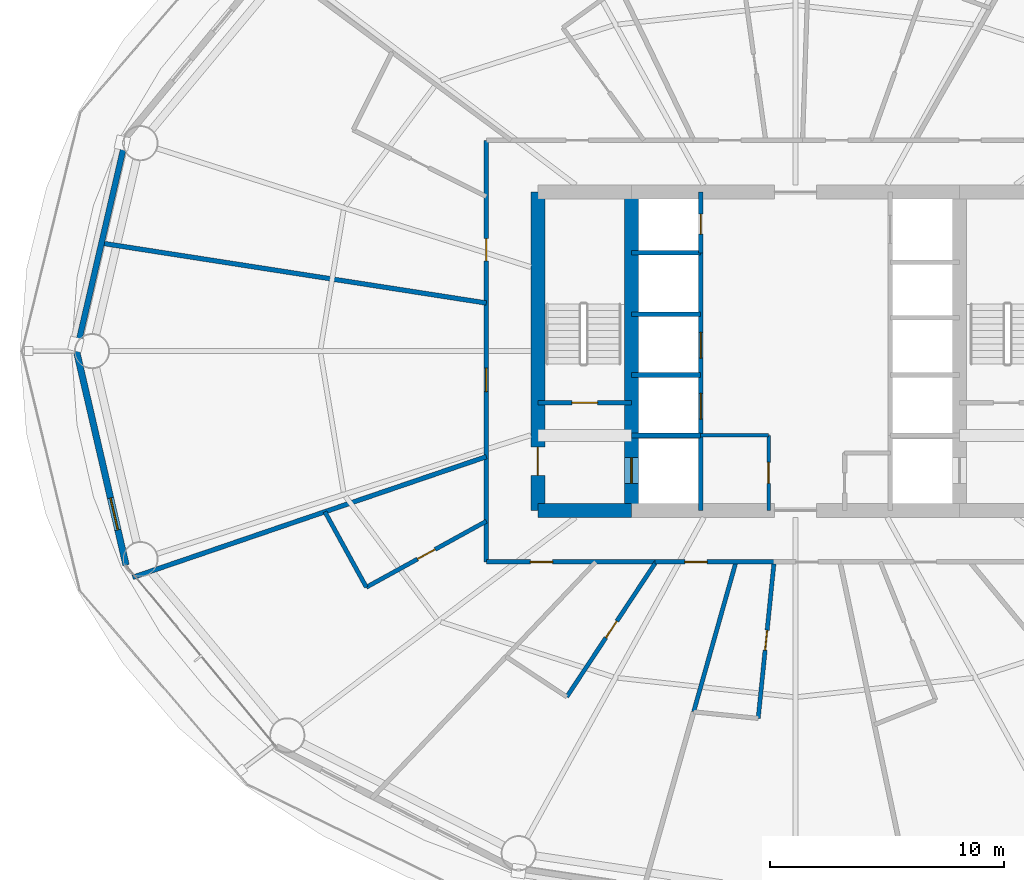
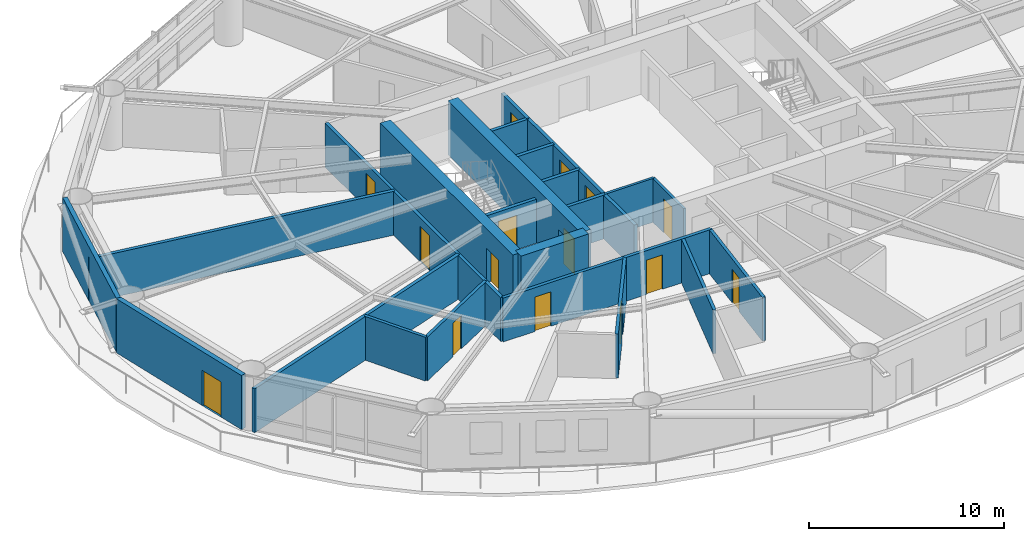
# One storey, part 20 of 26: 25 walls, 15 doors, 15 openings.
"""IFC4 building model written with IfcOpenShell, lengths in metres."""

from ifc_helpers import new_model, si_unit, direction, frame, frame_2d, origin, place, context, subcontext, project, spatial, rectangle, extrude, material, layer, layer_set, type_object, element, fill, save


model = new_model("IFC4")

# Units and contexts
model_context = context("Model", 3, precision=1e-05, world=origin(), true_north=direction((0.0, 1.0)))
body_context = subcontext(model_context, "Body", "Model", "MODEL_VIEW")
ifc_project = project(units=[si_unit("LENGTHUNIT", "METRE"), si_unit("AREAUNIT", "SQUARE_METRE"), si_unit("VOLUMEUNIT", "CUBIC_METRE"), si_unit("PLANEANGLEUNIT", "RADIAN"), si_unit("MASSUNIT", "GRAM", prefix="KILO")], contexts=[model_context])

# Site, building, storey
site_placement = place(None, origin())
site = spatial("IfcSite", under=ifc_project, at=site_placement, CompositionType="ELEMENT")
building_placement = place(site_placement, origin())
building = spatial("IfcBuilding", under=site, at=building_placement, Name="Sarneth Arch Tower", CompositionType="ELEMENT")
storey_placement = place(building_placement, frame((0.0, 0.0, 35.39990234375)))
storey = spatial("IfcBuildingStorey", under=building, at=storey_placement, Name="L07", CompositionType="ELEMENT", Elevation=35.39990234375)

# Wall
ifc_material_1 = material(Name="Concrete C60/75", Category="concrete")
ifc_layer_1 = layer(ifc_material_1, 0.60009765625)
ifc_layer_set_1 = layer_set([ifc_layer_1], Name="Concrete C60/75")
wall_type_1 = type_object("IfcWallType", Name="WALL-CORE-600", PredefinedType="SHEAR", material=ifc_layer_set_1)
wall_1_placement = place(storey_placement, frame((37.0, 35.199951171875, 0.0), z_axis=(0.0, 0.0, 1.0), x_axis=(1.0, 0.0, 0.0)))
element("IfcWall", 1, at=wall_1_placement, inside=storey, type_object=wall_type_1, Name="L07 Core shear wall S-W", PredefinedType="SHEAR", context=body_context, shape_type="SweptSolid", body=[
    extrude(rectangle(XDim=4.0, YDim=0.60009765625, at=frame_2d((2.0, 0.0))), origin(), (0.0, 0.0, 1.0), 3.380126953125),
])

# Wall, opening, door
wall_2_placement = place(storey_placement, frame((37.0, 35.199951171875, 0.0), z_axis=(0.0, 0.0, 1.0), x_axis=(0.0, 1.0, 0.0)))
wall_2 = element("IfcWall", 2, at=wall_2_placement, inside=storey, type_object=wall_type_1, Name="L07 Core shear wall W", PredefinedType="SHEAR", context=body_context, shape_type="SweptSolid", body=[
    extrude(rectangle(XDim=13.60009765625, YDim=0.60009765625, at=frame_2d((6.800048828125, 0.0))), origin(), (0.0, 0.0, 1.0), 3.380126953125),
])
opening_1_placement = place(wall_2_placement, frame((1.5, 0.0, 0.0)))
opening_1 = element("IfcOpeningElement", 3, at=opening_1_placement, cuts=wall_2, Name="Opening FD-02", PredefinedType="OPENING", context=body_context, shape_type="SweptSolid", body=[
    extrude(rectangle(XDim=1.199951171875, YDim=2.14990234375, at=frame_2d((0.60009765625, 1.074951171875))), frame((0.0, 0.31005859375, 0.0), z_axis=(0.0, -1.0, 0.0), x_axis=(1.0, 0.0, 0.0)), (0.0, 0.0, 1.0), 0.6201171875),
])
ifc_material_2 = material(Name="Galvanised Steel S275 fire door set", Category="steel")
door_type_1 = type_object("IfcDoorType", Name="DR-FD90-1200", OperationType="SINGLE_SWING_LEFT", PredefinedType="DOOR", material=ifc_material_2)
door_1_placement = place(opening_1_placement, origin())
door_1 = element("IfcDoor", 4, at=door_1_placement, inside=storey, type_object=door_type_1, Name="L07 Firefighting lobby 1 exit door", OperationType="SINGLE_SWING_LEFT", OverallHeight=2.14990234375, OverallWidth=1.199951171875, PredefinedType="DOOR", context=body_context, shape_type="SweptSolid", body=[
    extrude(rectangle(XDim=1.199951171875, YDim=2.14990234375, at=frame_2d((0.60009765625, 1.074951171875))), frame((0.0, 0.02490234375, 0.0), z_axis=(0.0, -1.0, 0.0), x_axis=(1.0, 0.0, 0.0)), (0.0, 0.0, 1.0), 0.050048828125),
])
fill(opening_1, door_1)

wall_3_placement = place(storey_placement, frame((41.0, 35.199951171875, 0.0), z_axis=(0.0, 0.0, 1.0), x_axis=(0.0, 1.0, 0.0)))
wall_3 = element("IfcWall", 5, at=wall_3_placement, inside=storey, type_object=wall_type_1, Name="L07 Core shear wall WEB-W", PredefinedType="SHEAR", context=body_context, shape_type="SweptSolid", body=[
    extrude(rectangle(XDim=13.60009765625, YDim=0.60009765625, at=frame_2d((6.800048828125, 0.0))), origin(), (0.0, 0.0, 1.0), 3.380126953125),
])
opening_2_placement = place(wall_3_placement, frame((1.14990234375, 0.0, 0.0)))
opening_2 = element("IfcOpeningElement", 6, at=opening_2_placement, cuts=wall_3, Name="Opening LD-1", PredefinedType="OPENING", context=body_context, shape_type="SweptSolid", body=[
    extrude(rectangle(XDim=1.10009765625, YDim=2.199951171875, at=frame_2d((0.550048828125, 1.10009765625))), frame((0.0, 0.31005859375, 0.0), z_axis=(0.0, -1.0, 0.0), x_axis=(1.0, 0.0, 0.0)), (0.0, 0.0, 1.0), 0.6201171875),
])
ifc_material_3 = material(Name="Brushed Stainless Steel 304 lift landing door", Category="steel")
door_type_2 = type_object("IfcDoorType", Name="DR-LIFT-SLIDE-1100", OperationType="SLIDING_TO_LEFT", PredefinedType="DOOR", material=ifc_material_3)
door_2_placement = place(opening_2_placement, origin())
door_2 = element("IfcDoor", 7, at=door_2_placement, inside=storey, type_object=door_type_2, Name="L07 Firefighting lift landing door FL-1", OperationType="SLIDING_TO_LEFT", OverallHeight=2.199951171875, OverallWidth=1.10009765625, PredefinedType="DOOR", context=body_context, shape_type="SweptSolid", body=[
    extrude(rectangle(XDim=1.10009765625, YDim=2.199951171875, at=frame_2d((0.550048828125, 1.10009765625))), frame((0.0, 0.02490234375, 0.0), z_axis=(0.0, -1.0, 0.0), x_axis=(1.0, 0.0, 0.0)), (0.0, 0.0, 1.0), 0.050048828125),
])
fill(opening_2, door_2)

# Wall, openings, doors
ifc_material_4 = material(Name="Double steel-stud corridor fire wall", Category="steel")
ifc_layer_2 = layer(ifc_material_4, 0.18994140625)
ifc_layer_set_2 = layer_set([ifc_layer_2], Name="Double steel-stud corridor fire wall")
wall_type_2 = type_object("IfcWallType", Name="WALL-CORR-190", PredefinedType="PARTITIONING", material=ifc_layer_set_2)
wall_4_placement = place(storey_placement, frame((34.800048828125, 33.0, 0.0), z_axis=(0.0, 0.0, 1.0), x_axis=(0.0, 1.0, 0.0)))
wall_4 = element("IfcWall", 8, at=wall_4_placement, inside=storey, type_object=wall_type_2, Name="L07 Interior partition W-L07-TP-014", PredefinedType="PARTITIONING", context=body_context, shape_type="SweptSolid", body=[
    extrude(rectangle(XDim=18.0, YDim=0.18994140625, at=frame_2d((9.0, 0.0))), origin(), (0.0, 0.0, 1.0), 2.739990234375),
])
opening_3_placement = place(wall_4_placement, frame((7.273681640625, 0.0, 0.0)))
opening_3 = element("IfcOpeningElement", 9, at=opening_3_placement, cuts=wall_4, Name="Opening FD-08", PredefinedType="OPENING", context=body_context, shape_type="SweptSolid", body=[
    extrude(rectangle(XDim=1.0, YDim=2.199951171875, at=frame_2d((0.5, 1.10009765625))), frame((0.0, 0.10498046875, 0.0), z_axis=(0.0, -1.0, 0.0), x_axis=(1.0, 0.0, 0.0)), (0.0, 0.0, 1.0), 0.2099609375),
])
opening_4_placement = place(wall_4_placement, frame((12.8544921875, 0.0, 0.0)))
opening_4 = element("IfcOpeningElement", 10, at=opening_4_placement, cuts=wall_4, Name="Opening FD-09", PredefinedType="OPENING", context=body_context, shape_type="SweptSolid", body=[
    extrude(rectangle(XDim=0.949951171875, YDim=2.14990234375, at=frame_2d((0.47509765625, 1.074951171875))), frame((0.0, 0.10498046875, 0.0), z_axis=(0.0, -1.0, 0.0), x_axis=(1.0, 0.0, 0.0)), (0.0, 0.0, 1.0), 0.2099609375),
])
ifc_material_5 = material(Name="Hardwood timber acoustic fire door", Category="wood")
door_type_3 = type_object("IfcDoorType", Name="DR-FD60-1000", OperationType="SINGLE_SWING_LEFT", PredefinedType="DOOR", material=ifc_material_5)
door_3_placement = place(opening_3_placement, origin())
door_3 = element("IfcDoor", 11, at=door_3_placement, inside=storey, type_object=door_type_3, Name="L07 Interior door DR-L07-AMN-07", OperationType="SINGLE_SWING_RIGHT", OverallHeight=2.199951171875, OverallWidth=1.0, PredefinedType="DOOR", context=body_context, shape_type="SweptSolid", body=[
    extrude(rectangle(XDim=1.0, YDim=2.199951171875, at=frame_2d((0.5, 1.10009765625))), frame((0.0, 0.02490234375, 0.0), z_axis=(0.0, -1.0, 0.0), x_axis=(1.0, 0.0, 0.0)), (0.0, 0.0, 1.0), 0.050048828125),
])
fill(opening_3, door_3)
ifc_material_6 = material(Name="Hardwood timber hotel entrance fire door", Category="wood")
door_type_4 = type_object("IfcDoorType", Name="DR-FD60-950", OperationType="SINGLE_SWING_RIGHT", PredefinedType="DOOR", material=ifc_material_6)
door_4_placement = place(opening_4_placement, origin())
door_4 = element("IfcDoor", 12, at=door_4_placement, inside=storey, type_object=door_type_4, Name="L07 Interior door DR-L07-KEY-06", OperationType="SINGLE_SWING_LEFT", OverallHeight=2.14990234375, OverallWidth=0.949951171875, PredefinedType="DOOR", context=body_context, shape_type="SweptSolid", body=[
    extrude(rectangle(XDim=0.949951171875, YDim=2.14990234375, at=frame_2d((0.47509765625, 1.074951171875))), frame((0.0, 0.02490234375, 0.0), z_axis=(0.0, -1.0, 0.0), x_axis=(1.0, 0.0, 0.0)), (0.0, 0.0, 1.0), 0.050048828125),
])
fill(opening_4, door_4)

# Wall, opening, door
wall_5_placement = place(storey_placement, frame((42.083251953125, 33.0, 0.0), z_axis=(0.0, 0.0, 1.0), x_axis=(-1.0, 0.0, 0.0)))
wall_5 = element("IfcWall", 13, at=wall_5_placement, inside=storey, type_object=wall_type_2, Name="L07 Interior partition W-L07-TP-015", PredefinedType="PARTITIONING", context=body_context, shape_type="SweptSolid", body=[
    extrude(rectangle(XDim=7.283203125, YDim=0.18994140625, at=frame_2d((3.6416015625, 0.0))), origin(), (0.0, 0.0, 1.0), 2.739990234375),
])
opening_5_placement = place(wall_5_placement, frame((4.45068359375, 0.0, 0.0)))
opening_5 = element("IfcOpeningElement", 14, at=opening_5_placement, cuts=wall_5, Name="Opening FD-09", PredefinedType="OPENING", context=body_context, shape_type="SweptSolid", body=[
    extrude(rectangle(XDim=0.949951171875, YDim=2.14990234375, at=frame_2d((0.47509765625, 1.074951171875))), frame((0.0, 0.10498046875, 0.0), z_axis=(0.0, -1.0, 0.0), x_axis=(1.0, 0.0, 0.0)), (0.0, 0.0, 1.0), 0.2099609375),
])
door_5_placement = place(opening_5_placement, origin())
door_5 = element("IfcDoor", 15, at=door_5_placement, inside=storey, type_object=door_type_4, Name="L07 Interior door DR-L07-KEY-08", OperationType="SINGLE_SWING_LEFT", OverallHeight=2.14990234375, OverallWidth=0.949951171875, PredefinedType="DOOR", context=body_context, shape_type="SweptSolid", body=[
    extrude(rectangle(XDim=0.949951171875, YDim=2.14990234375, at=frame_2d((0.47509765625, 1.074951171875))), frame((0.0, 0.02490234375, 0.0), z_axis=(0.0, -1.0, 0.0), x_axis=(1.0, 0.0, 0.0)), (0.0, 0.0, 1.0), 0.050048828125),
])
fill(opening_5, door_5)

wall_6_placement = place(storey_placement, frame((47.117919921875, 33.0, 0.0), z_axis=(0.0, 0.0, 1.0), x_axis=(-1.0, 0.0, 0.0)))
wall_6 = element("IfcWall", 16, at=wall_6_placement, inside=storey, type_object=wall_type_2, Name="L07 Interior partition W-L07-TP-018", PredefinedType="PARTITIONING", context=body_context, shape_type="SweptSolid", body=[
    extrude(rectangle(XDim=5.111572265625, YDim=0.18994140625, at=frame_2d((2.5556640625, 0.0))), origin(), (0.0, 0.0, 1.0), 2.739990234375),
])
opening_6_placement = place(wall_6_placement, frame((2.893798828125, 0.0, 0.0)))
opening_6 = element("IfcOpeningElement", 17, at=opening_6_placement, cuts=wall_6, Name="Opening FD-09", PredefinedType="OPENING", context=body_context, shape_type="SweptSolid", body=[
    extrude(rectangle(XDim=0.949951171875, YDim=2.14990234375, at=frame_2d((0.47509765625, 1.074951171875))), frame((0.0, 0.10498046875, 0.0), z_axis=(0.0, -1.0, 0.0), x_axis=(1.0, 0.0, 0.0)), (0.0, 0.0, 1.0), 0.2099609375),
])
door_6_placement = place(opening_6_placement, origin())
door_6 = element("IfcDoor", 18, at=door_6_placement, inside=storey, type_object=door_type_4, Name="L07 Interior door DR-L07-KEY-09", OperationType="SINGLE_SWING_RIGHT", OverallHeight=2.14990234375, OverallWidth=0.949951171875, PredefinedType="DOOR", context=body_context, shape_type="SweptSolid", body=[
    extrude(rectangle(XDim=0.949951171875, YDim=2.14990234375, at=frame_2d((0.47509765625, 1.074951171875))), frame((0.0, 0.02490234375, 0.0), z_axis=(0.0, -1.0, 0.0), x_axis=(1.0, 0.0, 0.0)), (0.0, 0.0, 1.0), 0.050048828125),
])
fill(opening_6, door_6)

# Wall
ifc_material_7 = material(Name="Extruded terracotta rainscreen on Concrete C40/50 backing", Category="masonry")
ifc_layer_3 = layer(ifc_material_7, 0.25)
ifc_layer_set_3 = layer_set([ifc_layer_3], Name="Extruded terracotta rainscreen on Concrete C40/50 backing")
wall_type_3 = type_object("IfcWallType", Name="WALL-EXT-SPAND-250", PredefinedType="SOLIDWALL", material=ifc_layer_set_3)
wall_7_placement = place(storey_placement, frame((19.4189453125, 51.138427734375, 0.0), z_axis=(0.0, 0.0, 1.0), x_axis=(-0.225454452941, -0.974253709076, 0.0)))
element("IfcWall", 19, at=wall_7_placement, inside=storey, type_object=wall_type_3, Name="L07 Terracotta perimeter wall 08", PredefinedType="SOLIDWALL", context=body_context, shape_type="SweptSolid", body=[
    extrude(rectangle(XDim=9.3798828125, YDim=0.25, at=frame_2d((4.68994140625, 0.0))), origin(), (0.0, 0.0, 1.0), 3.380126953125),
])

# Wall, opening, door
ifc_material_8 = material(Name="Extruded terracotta rainscreen on Concrete C40/50 backing", Category="masonry")
ifc_layer_4 = layer(ifc_material_8, 0.280029296875)
ifc_layer_set_4 = layer_set([ifc_layer_4], Name="Extruded terracotta rainscreen on Concrete C40/50 backing")
wall_type_4 = type_object("IfcWallType", Name="WALL-EXT-TERRA-280", PredefinedType="SOLIDWALL", material=ifc_layer_set_4)
wall_8_placement = place(storey_placement, frame((17.30419921875, 42.0, 0.0), z_axis=(0.0, 0.0, 1.0), x_axis=(0.225454452941, -0.974253709076, 0.0)))
wall_8 = element("IfcWall", 20, at=wall_8_placement, inside=storey, type_object=wall_type_4, Name="L07 Terracotta perimeter wall 09", PredefinedType="SOLIDWALL", context=body_context, shape_type="SweptSolid", body=[
    extrude(rectangle(XDim=9.3798828125, YDim=0.280029296875, at=frame_2d((4.68994140625, 0.0))), origin(), (0.0, 0.0, 1.0), 3.380126953125),
])
opening_7_placement = place(wall_8_placement, frame((6.435302734375, 0.0, 0.0)))
opening_7 = element("IfcOpeningElement", 21, at=opening_7_placement, cuts=wall_8, Name="Opening BD-2", PredefinedType="OPENING", context=body_context, shape_type="SweptSolid", body=[
    extrude(rectangle(XDim=1.39990234375, YDim=2.199951171875, at=frame_2d((0.699951171875, 1.10009765625))), frame((0.0, 0.14990234375, 0.0), z_axis=(0.0, -1.0, 0.0), x_axis=(1.0, 0.0, 0.0)), (0.0, 0.0, 1.0), 0.300048828125),
])
ifc_material_9 = material(Name="Thermally broken Aluminium 6063-T6 and laminated safety glass", Category="aluminium")
door_type_5 = type_object("IfcDoorType", Name="DR-BALC-GLZ-1400", OperationType="SINGLE_SWING_LEFT", PredefinedType="DOOR", material=ifc_material_9)
door_7_placement = place(opening_7_placement, origin())
door_7 = element("IfcDoor", 22, at=door_7_placement, inside=storey, type_object=door_type_5, Name="L07 Balcony glazed door 09", OperationType="SINGLE_SWING_LEFT", OverallHeight=2.199951171875, OverallWidth=1.39990234375, PredefinedType="DOOR", context=body_context, shape_type="SweptSolid", body=[
    extrude(rectangle(XDim=1.39990234375, YDim=2.199951171875, at=frame_2d((0.699951171875, 1.10009765625))), frame((0.0, 0.02490234375, 0.0), z_axis=(0.0, -1.0, 0.0), x_axis=(1.0, 0.0, 0.0)), (0.0, 0.0, 1.0), 0.050048828125),
])
fill(opening_7, door_7)

# Wall
ifc_material_10 = material(Name="Acoustic gypsum stud partition", Category="gypsum")
ifc_layer_5 = layer(ifc_material_10, 0.14990234375)
ifc_layer_set_5 = layer_set([ifc_layer_5], Name="Acoustic gypsum stud partition")
wall_type_5 = type_object("IfcWallType", Name="WALL-PART-150", PredefinedType="PARTITIONING", material=ifc_layer_set_5)
wall_9_placement = place(storey_placement, frame((43.949951171875, 38.39990234375, 0.0), z_axis=(0.0, 0.0, 1.0), x_axis=(1.0, 0.0, 0.0)))
element("IfcWall", 23, at=wall_9_placement, inside=storey, type_object=wall_type_5, Name="L07 Interior partition W-L07-CSUP1-N", PredefinedType="PARTITIONING", context=body_context, shape_type="SweptSolid", body=[
    extrude(rectangle(XDim=2.900146484375, YDim=0.14990234375, at=frame_2d((1.4501953125, 0.0))), origin(), (0.0, 0.0, 1.0), 2.739990234375),
])

# Wall, opening, door
wall_10_placement = place(storey_placement, frame((46.85009765625, 35.199951171875, 0.0), z_axis=(0.0, 0.0, 1.0), x_axis=(0.0, 1.0, 0.0)))
wall_10 = element("IfcWall", 24, at=wall_10_placement, inside=storey, type_object=wall_type_5, Name="L07 Interior partition W-L07-CSUP1-E", PredefinedType="PARTITIONING", context=body_context, shape_type="SweptSolid", body=[
    extrude(rectangle(XDim=3.199951171875, YDim=0.14990234375, at=frame_2d((1.60009765625, 0.0))), origin(), (0.0, 0.0, 1.0), 2.739990234375),
])
opening_8_placement = place(wall_10_placement, frame((1.14990234375, 0.0, 0.0)))
opening_8 = element("IfcOpeningElement", 25, at=opening_8_placement, cuts=wall_10, Name="Opening FD-10", PredefinedType="OPENING", context=body_context, shape_type="SweptSolid", body=[
    extrude(rectangle(XDim=0.89990234375, YDim=2.14990234375, at=frame_2d((0.449951171875, 1.074951171875))), frame((0.0, 0.0849609375, 0.0), z_axis=(0.0, -1.0, 0.0), x_axis=(1.0, 0.0, 0.0)), (0.0, 0.0, 1.0), 0.169921875),
])
ifc_material_11 = material(Name="Galvanised Steel S275 riser/service fire door", Category="steel")
door_type_6 = type_object("IfcDoorType", Name="DR-FD60-900", OperationType="SINGLE_SWING_LEFT", PredefinedType="DOOR", material=ifc_material_11)
door_8_placement = place(opening_8_placement, origin())
door_8 = element("IfcDoor", 26, at=door_8_placement, inside=storey, type_object=door_type_6, Name="L07 Interior door DR-L07-CSUP1", OperationType="SINGLE_SWING_LEFT", OverallHeight=2.14990234375, OverallWidth=0.89990234375, PredefinedType="DOOR", context=body_context, shape_type="SweptSolid", body=[
    extrude(rectangle(XDim=0.89990234375, YDim=2.14990234375, at=frame_2d((0.449951171875, 1.074951171875))), frame((0.0, 0.02490234375, 0.0), z_axis=(0.0, -1.0, 0.0), x_axis=(1.0, 0.0, 0.0)), (0.0, 0.0, 1.0), 0.050048828125),
])
fill(opening_8, door_8)

ifc_material_12 = material(Name="Moisture-resistant plumbing chase wall", Category="gypsum")
ifc_layer_6 = layer(ifc_material_12, 0.179931640625)
ifc_layer_set_6 = layer_set([ifc_layer_6], Name="Moisture-resistant plumbing chase wall")
wall_type_6 = type_object("IfcWallType", Name="WALL-PLUMB-180", PredefinedType="PLUMBINGWALL", material=ifc_layer_set_6)
wall_11_placement = place(storey_placement, frame((42.044921875, 33.0, 0.0), z_axis=(0.0, 0.0, 1.0), x_axis=(-0.551832909025, -0.833954699319, 0.0)))
wall_11 = element("IfcWall", 27, at=wall_11_placement, inside=storey, type_object=wall_type_6, Name="L07 Interior partition W-L07-TP-057", PredefinedType="PLUMBINGWALL", context=body_context, shape_type="SweptSolid", body=[
    extrude(rectangle(XDim=6.90478515625, YDim=0.179931640625, at=frame_2d((3.452392578125, 0.0))), origin(), (0.0, 0.0, 1.0), 2.739990234375),
])
opening_9_placement = place(wall_11_placement, frame((3.02734375, 0.0, 0.0)))
opening_9 = element("IfcOpeningElement", 28, at=opening_9_placement, cuts=wall_11, Name="Opening ID-02", PredefinedType="OPENING", context=body_context, shape_type="SweptSolid", body=[
    extrude(rectangle(XDim=0.85009765625, YDim=2.10009765625, at=frame_2d((0.425048828125, 1.050048828125))), frame((0.0, 0.099853515625, 0.0), z_axis=(0.0, -1.0, 0.0), x_axis=(1.0, 0.0, 0.0)), (0.0, 0.0, 1.0), 0.199951171875),
])
ifc_material_13 = material(Name="Moisture-resistant bathroom timber door", Category="wood")
door_type_7 = type_object("IfcDoorType", Name="DR-INT-850", OperationType="SINGLE_SWING_RIGHT", PredefinedType="DOOR", material=ifc_material_13)
door_9_placement = place(opening_9_placement, origin())
door_9 = element("IfcDoor", 29, at=door_9_placement, inside=storey, type_object=door_type_7, Name="L07 Interior door DR-L07-ENS-09", OperationType="SINGLE_SWING_LEFT", OverallHeight=2.10009765625, OverallWidth=0.85009765625, PredefinedType="DOOR", context=body_context, shape_type="SweptSolid", body=[
    extrude(rectangle(XDim=0.85009765625, YDim=2.10009765625, at=frame_2d((0.425048828125, 1.050048828125))), frame((0.0, 0.02490234375, 0.0), z_axis=(0.0, -1.0, 0.0), x_axis=(1.0, 0.0, 0.0)), (0.0, 0.0, 1.0), 0.050048828125),
])
fill(opening_9, door_9)

wall_12_placement = place(storey_placement, frame((47.085693359375, 33.0, 0.0), z_axis=(0.0, 0.0, 1.0), x_axis=(-0.101019373019, -0.994884458756, 0.0)))
wall_12 = element("IfcWall", 30, at=wall_12_placement, inside=storey, type_object=wall_type_6, Name="L07 Interior partition W-L07-TP-061", PredefinedType="PLUMBINGWALL", context=body_context, shape_type="SweptSolid", body=[
    extrude(rectangle(XDim=6.7138671875, YDim=0.179931640625, at=frame_2d((3.35693359375, 0.0))), origin(), (0.0, 0.0, 1.0), 2.739990234375),
])
opening_10_placement = place(wall_12_placement, frame((2.931884765625, 0.0, 0.0)))
opening_10 = element("IfcOpeningElement", 31, at=opening_10_placement, cuts=wall_12, Name="Opening ID-02", PredefinedType="OPENING", context=body_context, shape_type="SweptSolid", body=[
    extrude(rectangle(XDim=0.85009765625, YDim=2.10009765625, at=frame_2d((0.425048828125, 1.050048828125))), frame((0.0, 0.099853515625, 0.0), z_axis=(0.0, -1.0, 0.0), x_axis=(1.0, 0.0, 0.0)), (0.0, 0.0, 1.0), 0.199951171875),
])
door_10_placement = place(opening_10_placement, origin())
door_10 = element("IfcDoor", 32, at=door_10_placement, inside=storey, type_object=door_type_7, Name="L07 Interior door DR-L07-ENS-10", OperationType="SINGLE_SWING_LEFT", OverallHeight=2.10009765625, OverallWidth=0.85009765625, PredefinedType="DOOR", context=body_context, shape_type="SweptSolid", body=[
    extrude(rectangle(XDim=0.85009765625, YDim=2.10009765625, at=frame_2d((0.425048828125, 1.050048828125))), frame((0.0, 0.02490234375, 0.0), z_axis=(0.0, -1.0, 0.0), x_axis=(1.0, 0.0, 0.0)), (0.0, 0.0, 1.0), 0.050048828125),
])
fill(opening_10, door_10)

# Wall
wall_13_placement = place(storey_placement, frame((43.6513671875, 26.6005859375, 0.0), z_axis=(0.0, 0.0, 1.0), x_axis=(0.271761873698, 0.962364527611, 0.0)))
element("IfcWall", 33, at=wall_13_placement, inside=storey, type_object=wall_type_6, Name="L07 Interior partition W-L07-TP-060", PredefinedType="PLUMBINGWALL", context=body_context, shape_type="SweptSolid", body=[
    extrude(rectangle(XDim=6.649658203125, YDim=0.179931640625, at=frame_2d((3.32470703125, 0.0))), origin(), (0.0, 0.0, 1.0), 2.739990234375),
])

# Wall, opening, door
wall_14_placement = place(storey_placement, frame((29.67919921875, 31.921630859375, 0.0), z_axis=(0.0, 0.0, 1.0), x_axis=(0.876185038284, 0.481974873503, 0.0)))
wall_14 = element("IfcWall", 34, at=wall_14_placement, inside=storey, type_object=wall_type_6, Name="L07 Interior partition W-L07-TP-054", PredefinedType="PLUMBINGWALL", context=body_context, shape_type="SweptSolid", body=[
    extrude(rectangle(XDim=5.844482421875, YDim=0.179931640625, at=frame_2d((2.92236328125, 0.0))), origin(), (0.0, 0.0, 1.0), 2.739990234375),
])
opening_11_placement = place(wall_14_placement, frame((2.497314453125, 0.0, 0.0)))
opening_11 = element("IfcOpeningElement", 35, at=opening_11_placement, cuts=wall_14, Name="Opening ID-02", PredefinedType="OPENING", context=body_context, shape_type="SweptSolid", body=[
    extrude(rectangle(XDim=0.85009765625, YDim=2.10009765625, at=frame_2d((0.425048828125, 1.050048828125))), frame((0.0, 0.099853515625, 0.0), z_axis=(0.0, -1.0, 0.0), x_axis=(1.0, 0.0, 0.0)), (0.0, 0.0, 1.0), 0.199951171875),
])
door_11_placement = place(opening_11_placement, origin())
door_11 = element("IfcDoor", 36, at=door_11_placement, inside=storey, type_object=door_type_7, Name="L07 Interior door DR-L07-ENS-08", OperationType="SINGLE_SWING_LEFT", OverallHeight=2.10009765625, OverallWidth=0.85009765625, PredefinedType="DOOR", context=body_context, shape_type="SweptSolid", body=[
    extrude(rectangle(XDim=0.85009765625, YDim=2.10009765625, at=frame_2d((0.425048828125, 1.050048828125))), frame((0.0, 0.02490234375, 0.0), z_axis=(0.0, -1.0, 0.0), x_axis=(1.0, 0.0, 0.0)), (0.0, 0.0, 1.0), 0.050048828125),
])
fill(opening_11, door_11)

# Wall
wall_15_placement = place(storey_placement, frame((27.90771484375, 35.14208984375, 0.0), z_axis=(0.0, 0.0, 1.0), x_axis=(0.481967195945, -0.876189261537, 0.0)))
element("IfcWall", 37, at=wall_15_placement, inside=storey, type_object=wall_type_6, Name="L07 Interior partition W-L07-TP-053", PredefinedType="PLUMBINGWALL", context=body_context, shape_type="SweptSolid", body=[
    extrude(rectangle(XDim=3.675537109375, YDim=0.179931640625, at=frame_2d((1.837890625, 0.0))), origin(), (0.0, 0.0, 1.0), 2.739990234375),
])

# Wall, opening, door
ifc_material_14 = material(Name="Aerated concrete blockwork C25/30", Category="masonry")
ifc_layer_7 = layer(ifc_material_14, 0.199951171875)
ifc_layer_set_7 = layer_set([ifc_layer_7], Name="Aerated concrete blockwork C25/30")
wall_type_7 = type_object("IfcWallType", Name="WALL-SHAFT-200", PredefinedType="SOLIDWALL", material=ifc_layer_set_7)
wall_16_placement = place(storey_placement, frame((37.0, 39.800048828125, 0.0), z_axis=(0.0, 0.0, 1.0), x_axis=(1.0, 0.0, 0.0)))
wall_16 = element("IfcWall", 38, at=wall_16_placement, inside=storey, type_object=wall_type_7, Name="L07 Interior partition W-L07-ST1-S", PredefinedType="SOLIDWALL", context=body_context, shape_type="SweptSolid", body=[
    extrude(rectangle(XDim=4.0, YDim=0.199951171875, at=frame_2d((2.0, 0.0))), origin(), (0.0, 0.0, 1.0), 2.739990234375),
])
opening_12_placement = place(wall_16_placement, frame((1.449951171875, 0.0, 0.0)))
opening_12 = element("IfcOpeningElement", 39, at=opening_12_placement, cuts=wall_16, Name="Opening FD-03", PredefinedType="OPENING", context=body_context, shape_type="SweptSolid", body=[
    extrude(rectangle(XDim=1.10009765625, YDim=2.14990234375, at=frame_2d((0.550048828125, 1.074951171875))), frame((0.0, 0.10986328125, 0.0), z_axis=(0.0, -1.0, 0.0), x_axis=(1.0, 0.0, 0.0)), (0.0, 0.0, 1.0), 0.219970703125),
])
ifc_material_15 = material(Name="Galvanised Steel S275 fire door set", Category="steel")
door_type_8 = type_object("IfcDoorType", Name="DR-FD90-1100", OperationType="SINGLE_SWING_LEFT", PredefinedType="DOOR", material=ifc_material_15)
door_12_placement = place(opening_12_placement, origin())
door_12 = element("IfcDoor", 40, at=door_12_placement, inside=storey, type_object=door_type_8, Name="L07 Interior door DR-L07-ST1", OperationType="SINGLE_SWING_LEFT", OverallHeight=2.14990234375, OverallWidth=1.10009765625, PredefinedType="DOOR", context=body_context, shape_type="SweptSolid", body=[
    extrude(rectangle(XDim=1.10009765625, YDim=2.14990234375, at=frame_2d((0.550048828125, 1.074951171875))), frame((0.0, 0.02490234375, 0.0), z_axis=(0.0, -1.0, 0.0), x_axis=(1.0, 0.0, 0.0)), (0.0, 0.0, 1.0), 0.050048828125),
])
fill(opening_12, door_12)

# Walls
wall_17_placement = place(storey_placement, frame((43.949951171875, 35.199951171875, 0.0), z_axis=(0.0, 0.0, 1.0), x_axis=(0.0, 1.0, 0.0)))
element("IfcWall", 41, at=wall_17_placement, inside=storey, type_object=wall_type_7, Name="L07 Interior partition W-L07-FL1-E", PredefinedType="SOLIDWALL", context=body_context, shape_type="SweptSolid", body=[
    extrude(rectangle(XDim=3.199951171875, YDim=0.199951171875, at=frame_2d((1.60009765625, 0.0))), origin(), (0.0, 0.0, 1.0), 2.739990234375),
])
for number, where, z_axis, x_axis, name in (
    (42, (41.0, 38.39990234375, 0.0), (0.0, 0.0, 1.0), (1.0, 0.0, 0.0), "L07 Interior partition W-L07-FL1-N"),
    (43, (41.0, 46.199951171875, 0.0), (0.0, 0.0, 1.0), (1.0, 0.0, 0.0), "L07 Interior partition W-L07-RISER-S"),
):
    element("IfcWall", number, at=place(storey_placement, frame(where, z_axis=z_axis, x_axis=x_axis)), inside=storey, type_object=wall_type_7, Name=name, PredefinedType="SOLIDWALL", context=body_context, shape_type="SweptSolid", body=[
        extrude(rectangle(XDim=2.949951171875, YDim=0.199951171875, at=frame_2d((1.47509765625, 0.0))), origin(), (0.0, 0.0, 1.0), 2.739990234375),
    ])

# Wall, opening, door
wall_18_placement = place(storey_placement, frame((43.949951171875, 46.199951171875, 0.0), z_axis=(0.0, 0.0, 1.0), x_axis=(0.0, 1.0, 0.0)))
wall_18 = element("IfcWall", 44, at=wall_18_placement, inside=storey, type_object=wall_type_7, Name="L07 Interior partition W-L07-RISER-E", PredefinedType="SOLIDWALL", context=body_context, shape_type="SweptSolid", body=[
    extrude(rectangle(XDim=2.60009765625, YDim=0.199951171875, at=frame_2d((1.300048828125, 0.0))), origin(), (0.0, 0.0, 1.0), 2.739990234375),
])
opening_13_placement = place(wall_18_placement, frame((0.800048828125, 0.0, 0.0)))
opening_13 = element("IfcOpeningElement", 45, at=opening_13_placement, cuts=wall_18, Name="Opening FD-11", PredefinedType="OPENING", context=body_context, shape_type="SweptSolid", body=[
    extrude(rectangle(XDim=0.85009765625, YDim=2.14990234375, at=frame_2d((0.425048828125, 1.074951171875))), frame((0.0, 0.10986328125, 0.0), z_axis=(0.0, -1.0, 0.0), x_axis=(1.0, 0.0, 0.0)), (0.0, 0.0, 1.0), 0.219970703125),
])
ifc_material_16 = material(Name="Galvanised Steel S275 closet fire door", Category="steel")
door_type_9 = type_object("IfcDoorType", Name="DR-FD60-850", OperationType="SINGLE_SWING_LEFT", PredefinedType="DOOR", material=ifc_material_16)
door_13_placement = place(opening_13_placement, origin())
door_13 = element("IfcDoor", 46, at=door_13_placement, inside=storey, type_object=door_type_9, Name="L07 Lift landing door DR-L07-RISER", OperationType="SINGLE_SWING_LEFT", OverallHeight=2.14990234375, OverallWidth=0.85009765625, PredefinedType="DOOR", context=body_context, shape_type="SweptSolid", body=[
    extrude(rectangle(XDim=0.85009765625, YDim=2.14990234375, at=frame_2d((0.425048828125, 1.074951171875))), frame((0.0, 0.02490234375, 0.0), z_axis=(0.0, -1.0, 0.0), x_axis=(1.0, 0.0, 0.0)), (0.0, 0.0, 1.0), 0.050048828125),
])
fill(opening_13, door_13)

# Wall, openings, doors
wall_19_placement = place(storey_placement, frame((43.949951171875, 38.39990234375, 0.0), z_axis=(0.0, 0.0, 1.0), x_axis=(0.0, 1.0, 0.0)))
wall_19 = element("IfcWall", 47, at=wall_19_placement, inside=storey, type_object=wall_type_7, Name="L07 Interior partition W-L07-WESTBANK-FRONT", PredefinedType="SOLIDWALL", context=body_context, shape_type="SweptSolid", body=[
    extrude(rectangle(XDim=7.800048828125, YDim=0.199951171875, at=frame_2d((3.89990234375, 0.0))), origin(), (0.0, 0.0, 1.0), 2.739990234375),
])
opening_14_placement = place(wall_19_placement, frame((0.699951171875, 0.0, 0.0)))
opening_14 = element("IfcOpeningElement", 48, at=opening_14_placement, cuts=wall_19, Name="Opening LD-1", PredefinedType="OPENING", context=body_context, shape_type="SweptSolid", body=[
    extrude(rectangle(XDim=1.10009765625, YDim=2.199951171875, at=frame_2d((0.550048828125, 1.10009765625))), frame((0.0, 0.10986328125, 0.0), z_axis=(0.0, -1.0, 0.0), x_axis=(1.0, 0.0, 0.0)), (0.0, 0.0, 1.0), 0.219970703125),
])
opening_15_placement = place(wall_19_placement, frame((3.300048828125, 0.0, 0.0)))
opening_15 = element("IfcOpeningElement", 49, at=opening_15_placement, cuts=wall_19, Name="Opening LD-1", PredefinedType="OPENING", context=body_context, shape_type="SweptSolid", body=[
    extrude(rectangle(XDim=1.10009765625, YDim=2.199951171875, at=frame_2d((0.550048828125, 1.10009765625))), frame((0.0, 0.10986328125, 0.0), z_axis=(0.0, -1.0, 0.0), x_axis=(1.0, 0.0, 0.0)), (0.0, 0.0, 1.0), 0.219970703125),
])
door_14_placement = place(opening_14_placement, origin())
door_14 = element("IfcDoor", 50, at=door_14_placement, inside=storey, type_object=door_type_2, Name="L07 Lift landing door DR-L07-LD-PL1", OperationType="SLIDING_TO_LEFT", OverallHeight=2.199951171875, OverallWidth=1.10009765625, PredefinedType="DOOR", context=body_context, shape_type="SweptSolid", body=[
    extrude(rectangle(XDim=1.10009765625, YDim=2.199951171875, at=frame_2d((0.550048828125, 1.10009765625))), frame((0.0, 0.02490234375, 0.0), z_axis=(0.0, -1.0, 0.0), x_axis=(1.0, 0.0, 0.0)), (0.0, 0.0, 1.0), 0.050048828125),
])
fill(opening_14, door_14)
door_15_placement = place(opening_15_placement, origin())
door_15 = element("IfcDoor", 51, at=door_15_placement, inside=storey, type_object=door_type_2, Name="L07 Lift landing door DR-L07-LD-PL2", OperationType="SLIDING_TO_RIGHT", OverallHeight=2.199951171875, OverallWidth=1.10009765625, PredefinedType="DOOR", context=body_context, shape_type="SweptSolid", body=[
    extrude(rectangle(XDim=1.10009765625, YDim=2.199951171875, at=frame_2d((0.550048828125, 1.10009765625))), frame((0.0, 0.02490234375, 0.0), z_axis=(0.0, -1.0, 0.0), x_axis=(1.0, 0.0, 0.0)), (0.0, 0.0, 1.0), 0.050048828125),
])
fill(opening_15, door_15)

# Walls
for number, where, z_axis, x_axis, name in (
    (52, (41.0, 40.97998046875, 0.0), (0.0, 0.0, 1.0), (1.0, 0.0, 0.0), "L07 Interior partition W-L07-WB-DIV-4098"),
    (53, (41.0, 43.580078125, 0.0), (0.0, 0.0, 1.0), (1.0, 0.0, 0.0), "L07 Interior partition W-L07-WB-DIV-4358"),
):
    element("IfcWall", number, at=place(storey_placement, frame(where, z_axis=z_axis, x_axis=x_axis)), inside=storey, type_object=wall_type_7, Name=name, PredefinedType="SOLIDWALL", context=body_context, shape_type="SweptSolid", body=[
        extrude(rectangle(XDim=2.949951171875, YDim=0.199951171875, at=frame_2d((1.47509765625, 0.0))), origin(), (0.0, 0.0, 1.0), 2.739990234375),
    ])
ifc_material_17 = material(Name="Double steel-stud acoustic drywall", Category="steel")
ifc_layer_8 = layer(ifc_material_17, 0.199951171875)
ifc_layer_set_8 = layer_set([ifc_layer_8], Name="Double steel-stud acoustic drywall")
wall_type_8 = type_object("IfcWallType", Name="WALL-UNIT-200", PredefinedType="PARTITIONING", material=ifc_layer_set_8)
wall_20_placement = place(storey_placement, frame((18.252685546875, 46.629638671875, 0.0), z_axis=(0.0, 0.0, 1.0), x_axis=(0.988105936892, -0.153774697134, 0.0)))
element("IfcWall", 54, at=wall_20_placement, inside=storey, type_object=wall_type_8, Name="L07 Interior partition W-L07-TP-050", PredefinedType="PARTITIONING", context=body_context, shape_type="SweptSolid", body=[
    extrude(rectangle(XDim=16.74658203125, YDim=0.199951171875, at=frame_2d((8.373291015625, 0.0))), origin(), (0.0, 0.0, 1.0), 2.739990234375),
])
wall_21_placement = place(storey_placement, frame((34.800048828125, 37.494384765625, 0.0), z_axis=(0.0, 0.0, 1.0), x_axis=(-0.946390715793, -0.32302416792, 0.0)))
element("IfcWall", 55, at=wall_21_placement, inside=storey, type_object=wall_type_8, Name="L07 Interior partition W-L07-TP-051", PredefinedType="PARTITIONING", context=body_context, shape_type="SweptSolid", body=[
    extrude(rectangle(XDim=15.951904296875, YDim=0.199951171875, at=frame_2d((7.97607421875, 0.0))), origin(), (0.0, 0.0, 1.0), 2.739990234375),
])

save(model, "model.ifc")
